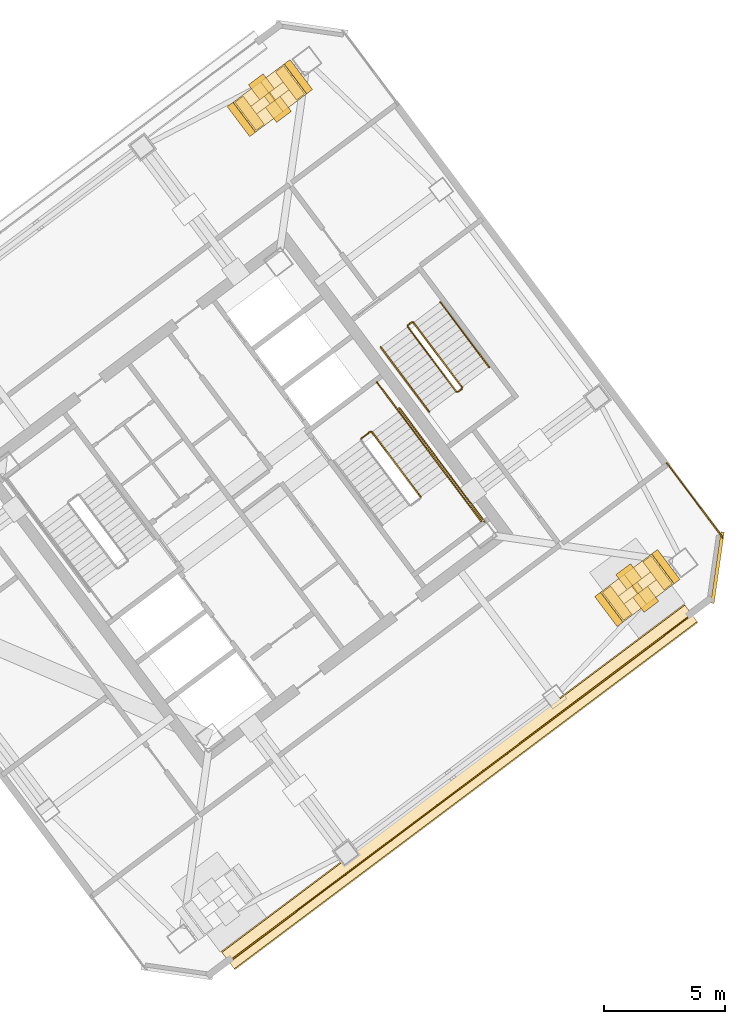
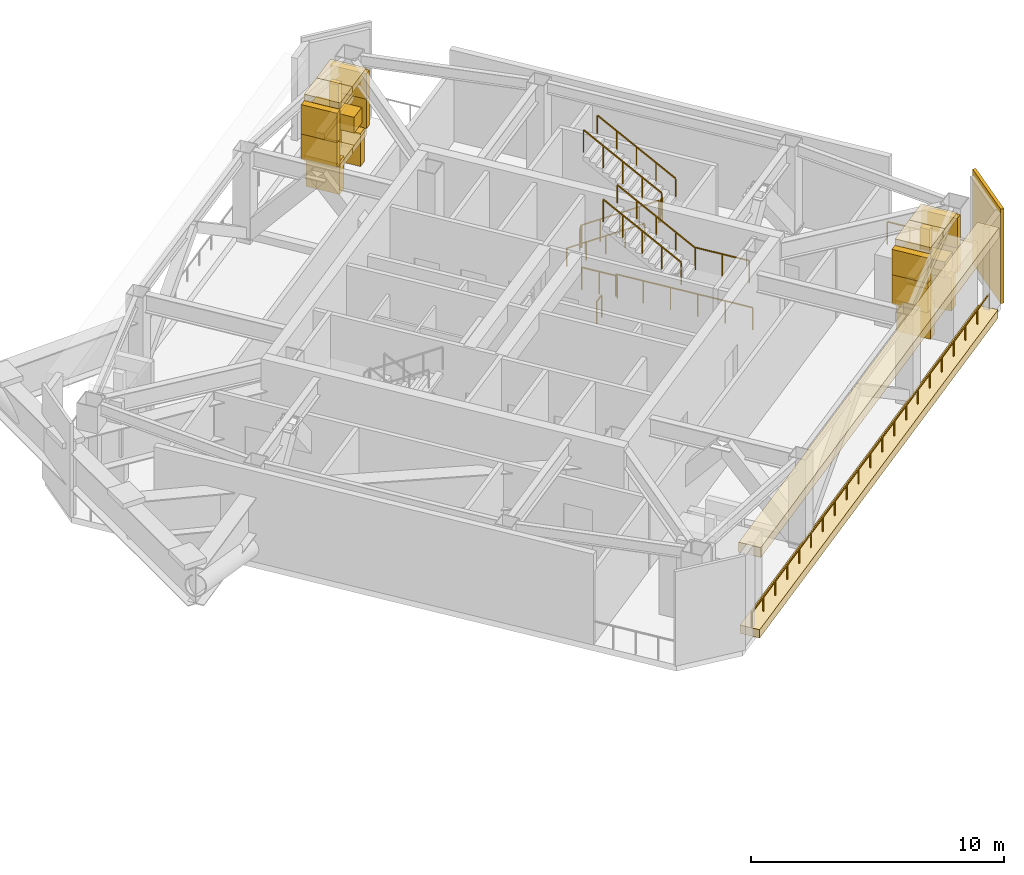
# One storey, part 13 of 15: 29 coverings, 14 railings.
"""IFC4 building model written with IfcOpenShell, lengths in metres."""

from ifc_helpers import new_model, si_unit, direction, frame, origin, origin_2d, place, context, subcontext, project, spatial, rectangle, extrude, material, layer, layer_set, type_object, element, save


model = new_model("IFC4")

# Units and contexts
model_context = context("Model", 3, precision=1e-05, world=origin(), true_north=direction((0.0, 1.0)))
body_context = subcontext(model_context, "Body", "Model", "MODEL_VIEW")
ifc_project = project(units=[si_unit("LENGTHUNIT", "METRE"), si_unit("AREAUNIT", "SQUARE_METRE"), si_unit("VOLUMEUNIT", "CUBIC_METRE"), si_unit("PLANEANGLEUNIT", "RADIAN"), si_unit("MASSUNIT", "GRAM", prefix="KILO")], contexts=[model_context])

# Site, building, storey
site_placement = place(None, origin())
site = spatial("IfcSite", under=ifc_project, at=site_placement, CompositionType="ELEMENT")
building_placement = place(site_placement, origin())
building = spatial("IfcBuilding", under=site, at=building_placement, Name="Tashvorn Skyway Center", CompositionType="ELEMENT")
storey_placement = place(building_placement, frame((0.0, 0.0, 246.800048828125)))
storey = spatial("IfcBuildingStorey", under=building, at=storey_placement, Name="L67", CompositionType="ELEMENT", Elevation=246.800048828125)

# Coverings
ifc_material_1 = material(Name="Perforated ceramic-coated bronze aluminium solar screen", Category="aluminium")
ifc_layer_1 = layer(ifc_material_1, 0.260009765625)
ifc_layer_set_1 = layer_set([ifc_layer_1], Name="Perforated ceramic-coated bronze aluminium solar screen")
covering_type_1 = type_object("IfcCoveringType", Name="COV-CROWN-SCREEN", PredefinedType="CLADDING", material=ifc_layer_set_1)
covering_1_placement = place(storey_placement, frame((131.482666015625, 29.23681640625, 2.752197265625), z_axis=(0.0, 0.0, 1.0), x_axis=(0.799999996291, 0.600000004945, 0.0)))
element("IfcCovering", 1, at=covering_1_placement, inside=storey, type_object=covering_type_1, Name="Tower 2 L67 Wind Turbine 2 Venturi Shroud Facet 1", PredefinedType="CLADDING", context=body_context, shape_type="SweptSolid", body=[
    extrude(rectangle(XDim=0.300048828125, YDim=1.550048828125, at=origin_2d()), origin(), (0.0, 0.0, 1.0), 1.419921875),
])
for number, where, z_axis, x_axis, name in (
    (2, (130.789794921875, 28.71728515625, 4.17822265625), (0.0, 0.0, 1.0), (0.799999996291, 0.600000004945, 0.0), "Tower 2 L67 Wind Turbine 2 Venturi Shroud Facet 2"),
    (3, (129.81005859375, 27.982666015625, 4.17822265625), (0.0, 0.0, 1.0), (0.799999996291, 0.600000004945, 0.0), "Tower 2 L67 Wind Turbine 2 Venturi Shroud Facet 3"),
):
    element("IfcCovering", number, at=place(storey_placement, frame(where, z_axis=z_axis, x_axis=x_axis)), inside=storey, type_object=covering_type_1, Name=name, PredefinedType="CLADDING", context=body_context, shape_type="SweptSolid", body=[
        extrude(rectangle(XDim=1.419921875, YDim=1.550048828125, at=origin_2d()), origin(), (0.0, 0.0, 1.0), 0.300048828125),
    ])
for number, where, z_axis, x_axis, name in (
    (4, (129.117431640625, 27.463134765625, 2.752197265625), (0.0, 0.0, 1.0), (0.799999996291, 0.600000004945, 0.0), "Tower 2 L67 Wind Turbine 2 Venturi Shroud Facet 4"),
    (5, (129.117431640625, 27.463134765625, 1.527587890625), (0.0, 0.0, 1.0), (0.799999996291, 0.600000004945, 0.0), "Tower 2 L67 Wind Turbine 2 Venturi Shroud Facet 5"),
):
    element("IfcCovering", number, at=place(storey_placement, frame(where, z_axis=z_axis, x_axis=x_axis)), inside=storey, type_object=covering_type_1, Name=name, PredefinedType="CLADDING", context=body_context, shape_type="SweptSolid", body=[
        extrude(rectangle(XDim=0.300048828125, YDim=1.550048828125, at=origin_2d()), origin(), (0.0, 0.0, 1.0), 1.419921875),
    ])
for number, where, z_axis, x_axis, name in (
    (6, (129.81005859375, 27.982666015625, 1.2216796875), (0.0, 0.0, 1.0), (0.799999996291, 0.600000004945, 0.0), "Tower 2 L67 Wind Turbine 2 Venturi Shroud Facet 6"),
    (7, (130.789794921875, 28.71728515625, 1.2216796875), (0.0, 0.0, 1.0), (0.799999996291, 0.600000004945, 0.0), "Tower 2 L67 Wind Turbine 2 Venturi Shroud Facet 7"),
):
    element("IfcCovering", number, at=place(storey_placement, frame(where, z_axis=z_axis, x_axis=x_axis)), inside=storey, type_object=covering_type_1, Name=name, PredefinedType="CLADDING", context=body_context, shape_type="SweptSolid", body=[
        extrude(rectangle(XDim=1.419921875, YDim=1.550048828125, at=origin_2d()), origin(), (0.0, 0.0, 1.0), 0.300048828125),
    ])
covering_2_placement = place(storey_placement, frame((131.482666015625, 29.23681640625, 1.527587890625), z_axis=(0.0, 0.0, 1.0), x_axis=(0.799999996291, 0.600000004945, 0.0)))
element("IfcCovering", 8, at=covering_2_placement, inside=storey, type_object=covering_type_1, Name="Tower 2 L67 Wind Turbine 2 Venturi Shroud Facet 8", PredefinedType="CLADDING", context=body_context, shape_type="SweptSolid", body=[
    extrude(rectangle(XDim=0.300048828125, YDim=1.550048828125, at=origin_2d()), origin(), (0.0, 0.0, 1.0), 1.419921875),
])
covering_3_placement = place(storey_placement, frame((130.300048828125, 28.35009765625, 1.27001953125), z_axis=(0.0, 0.0, 1.0), x_axis=(0.799999996291, 0.600000004945, 0.0)))
element("IfcCovering", 9, at=covering_3_placement, inside=storey, type_object=covering_type_1, Name="Tower 2 L67 Wind Turbine 2 Vertical Rotor Blades", PredefinedType="CLADDING", context=body_context, shape_type="SweptSolid", body=[
    extrude(rectangle(XDim=0.280029296875, YDim=0.39990234375, at=origin_2d()), origin(), (0.0, 0.0, 1.0), 3.159912109375),
])
covering_4_placement = place(storey_placement, frame((130.300048828125, 28.35009765625, 2.7099609375), z_axis=(0.0, 0.0, 1.0), x_axis=(0.799999996291, 0.600000004945, 0.0)))
element("IfcCovering", 10, at=covering_4_placement, inside=storey, type_object=covering_type_1, Name="Tower 2 L67 Wind Turbine 2 Horizontal Rotor Blades", PredefinedType="CLADDING", context=body_context, shape_type="SweptSolid", body=[
    extrude(rectangle(XDim=3.159912109375, YDim=0.39990234375, at=origin_2d()), origin(), (0.0, 0.0, 1.0), 0.280029296875),
])
covering_5_placement = place(storey_placement, frame((113.87744140625, 47.782958984375, 2.752197265625), z_axis=(0.0, 0.0, 1.0), x_axis=(-0.799999996291, -0.600000004945, 0.0)))
element("IfcCovering", 11, at=covering_5_placement, inside=storey, type_object=covering_type_1, Name="Tower 2 L67 Wind Turbine 4 Venturi Shroud Facet 1", PredefinedType="CLADDING", context=body_context, shape_type="SweptSolid", body=[
    extrude(rectangle(XDim=0.300048828125, YDim=1.550048828125, at=origin_2d()), origin(), (0.0, 0.0, 1.0), 1.419921875),
])
for number, where, z_axis, x_axis, name in (
    (12, (114.570068359375, 48.302734375, 4.17822265625), (0.0, 0.0, 1.0), (-0.799999996291, -0.600000004945, 0.0), "Tower 2 L67 Wind Turbine 4 Venturi Shroud Facet 2"),
    (13, (115.5498046875, 49.037353515625, 4.17822265625), (0.0, 0.0, 1.0), (-0.799999996291, -0.600000004945, 0.0), "Tower 2 L67 Wind Turbine 4 Venturi Shroud Facet 3"),
):
    element("IfcCovering", number, at=place(storey_placement, frame(where, z_axis=z_axis, x_axis=x_axis)), inside=storey, type_object=covering_type_1, Name=name, PredefinedType="CLADDING", context=body_context, shape_type="SweptSolid", body=[
        extrude(rectangle(XDim=1.419921875, YDim=1.550048828125, at=origin_2d()), origin(), (0.0, 0.0, 1.0), 0.300048828125),
    ])
for number, where, z_axis, x_axis, name in (
    (14, (116.24267578125, 49.556884765625, 2.752197265625), (0.0, 0.0, 1.0), (-0.799999996291, -0.600000004945, 0.0), "Tower 2 L67 Wind Turbine 4 Venturi Shroud Facet 4"),
    (15, (116.24267578125, 49.556884765625, 1.527587890625), (0.0, 0.0, 1.0), (-0.799999996291, -0.600000004945, 0.0), "Tower 2 L67 Wind Turbine 4 Venturi Shroud Facet 5"),
):
    element("IfcCovering", number, at=place(storey_placement, frame(where, z_axis=z_axis, x_axis=x_axis)), inside=storey, type_object=covering_type_1, Name=name, PredefinedType="CLADDING", context=body_context, shape_type="SweptSolid", body=[
        extrude(rectangle(XDim=0.300048828125, YDim=1.550048828125, at=origin_2d()), origin(), (0.0, 0.0, 1.0), 1.419921875),
    ])
for number, where, z_axis, x_axis, name in (
    (16, (115.5498046875, 49.037353515625, 1.2216796875), (0.0, 0.0, 1.0), (-0.799999996291, -0.600000004945, 0.0), "Tower 2 L67 Wind Turbine 4 Venturi Shroud Facet 6"),
    (17, (114.570068359375, 48.302734375, 1.2216796875), (0.0, 0.0, 1.0), (-0.799999996291, -0.600000004945, 0.0), "Tower 2 L67 Wind Turbine 4 Venturi Shroud Facet 7"),
):
    element("IfcCovering", number, at=place(storey_placement, frame(where, z_axis=z_axis, x_axis=x_axis)), inside=storey, type_object=covering_type_1, Name=name, PredefinedType="CLADDING", context=body_context, shape_type="SweptSolid", body=[
        extrude(rectangle(XDim=1.419921875, YDim=1.550048828125, at=origin_2d()), origin(), (0.0, 0.0, 1.0), 0.300048828125),
    ])
covering_6_placement = place(storey_placement, frame((113.87744140625, 47.782958984375, 1.527587890625), z_axis=(0.0, 0.0, 1.0), x_axis=(-0.799999996291, -0.600000004945, 0.0)))
element("IfcCovering", 18, at=covering_6_placement, inside=storey, type_object=covering_type_1, Name="Tower 2 L67 Wind Turbine 4 Venturi Shroud Facet 8", PredefinedType="CLADDING", context=body_context, shape_type="SweptSolid", body=[
    extrude(rectangle(XDim=0.300048828125, YDim=1.550048828125, at=origin_2d()), origin(), (0.0, 0.0, 1.0), 1.419921875),
])
covering_7_placement = place(storey_placement, frame((115.06005859375, 48.669921875, 1.27001953125), z_axis=(0.0, 0.0, 1.0), x_axis=(-0.799999996291, -0.600000004945, 0.0)))
element("IfcCovering", 19, at=covering_7_placement, inside=storey, type_object=covering_type_1, Name="Tower 2 L67 Wind Turbine 4 Vertical Rotor Blades", PredefinedType="CLADDING", context=body_context, shape_type="SweptSolid", body=[
    extrude(rectangle(XDim=0.280029296875, YDim=0.39990234375, at=origin_2d()), origin(), (0.0, 0.0, 1.0), 3.159912109375),
])
covering_8_placement = place(storey_placement, frame((115.06005859375, 48.669921875, 2.7099609375), z_axis=(0.0, 0.0, 1.0), x_axis=(-0.799999996291, -0.600000004945, 0.0)))
element("IfcCovering", 20, at=covering_8_placement, inside=storey, type_object=covering_type_1, Name="Tower 2 L67 Wind Turbine 4 Horizontal Rotor Blades", PredefinedType="CLADDING", context=body_context, shape_type="SweptSolid", body=[
    extrude(rectangle(XDim=3.159912109375, YDim=0.39990234375, at=origin_2d()), origin(), (0.0, 0.0, 1.0), 0.280029296875),
])
ifc_material_2 = material(Name="Precast concrete C40/50", Category="concrete")
ifc_layer_2 = layer(ifc_material_2, 0.35009765625)
ifc_layer_set_2 = layer_set([ifc_layer_2], Name="Precast concrete C40/50")
covering_type_2 = type_object("IfcCoveringType", Name="COV-STONE-TRIM", PredefinedType="CLADDING", material=ifc_layer_set_2)
covering_9_placement = place(storey_placement, frame((122.927978515625, 20.095947265625, 3.89990234375), z_axis=(0.0, 0.0, 1.0), x_axis=(-0.799999996291, -0.600000004945, 0.0)))
element("IfcCovering", 21, at=covering_9_placement, inside=storey, type_object=covering_type_2, Name="Tower 2 L67 South Venturi Terracotta Upper Cowl", PredefinedType="CLADDING", context=body_context, shape_type="SweptSolid", body=[
    extrude(rectangle(XDim=24.0, YDim=0.949951171875, at=origin_2d()), origin(), (0.0, 0.0, 1.0), 0.47998046875),
])
covering_10_placement = place(storey_placement, frame((122.927978515625, 20.095947265625, 0.0), z_axis=(0.0, 0.0, 1.0), x_axis=(-0.799999996291, -0.600000004945, 0.0)))
element("IfcCovering", 22, at=covering_10_placement, inside=storey, type_object=covering_type_2, Name="Tower 2 L67 South Venturi Limestone Sill Cowl", PredefinedType="CLADDING", context=body_context, shape_type="SweptSolid", body=[
    extrude(rectangle(XDim=24.0, YDim=0.85009765625, at=origin_2d()), origin(), (0.0, 0.0, 1.0), 0.39990234375),
])
covering_11_placement = place(storey_placement, frame((133.6279296875, 29.196044921875, 0.02001953125), z_axis=(0.0, 0.0, 1.0), x_axis=(0.141421350118, 0.989949494535, 0.0)))
element("IfcCovering", 23, at=covering_11_placement, inside=storey, type_object=covering_type_2, Name="Tower 2 L67 SE Mojave Limestone Corner Quoin", PredefinedType="CLADDING", context=body_context, shape_type="SweptSolid", body=[
    extrude(rectangle(XDim=2.98828125, YDim=0.139892578125, at=origin_2d()), origin(), (0.0, 0.0, 1.0), 4.56005859375),
])
for number, where, z_axis, x_axis, name in (
    (24, (129.4599609375, 27.719970703125, 0.0), (0.0, 0.0, 1.0), (0.799999996291, 0.600000004945, 0.0), "Tower 2 L67 Wind Turbine 2 Support Cradle 1"),
    (25, (131.139892578125, 28.97998046875, 0.0), (0.0, 0.0, 1.0), (0.799999996291, 0.600000004945, 0.0), "Tower 2 L67 Wind Turbine 2 Support Cradle 2"),
):
    element("IfcCovering", number, at=place(storey_placement, frame(where, z_axis=z_axis, x_axis=x_axis)), inside=storey, type_object=covering_type_2, Name=name, PredefinedType="CLADDING", context=body_context, shape_type="SweptSolid", body=[
        extrude(rectangle(XDim=0.419921875, YDim=1.449951171875, at=origin_2d()), origin(), (0.0, 0.0, 1.0), 1.60009765625),
    ])
covering_12_placement = place(storey_placement, frame((130.300048828125, 28.35009765625, 2.4697265625), z_axis=(0.0, 0.0, 1.0), x_axis=(0.799999996291, 0.600000004945, 0.0)))
element("IfcCovering", 26, at=covering_12_placement, inside=storey, type_object=covering_type_2, Name="Tower 2 L67 Wind Turbine 2 Nacelle Hub", PredefinedType="CLADDING", context=body_context, shape_type="SweptSolid", body=[
    extrude(rectangle(XDim=0.760009765625, YDim=1.949951171875, at=origin_2d()), origin(), (0.0, 0.0, 1.0), 0.760009765625),
])
for number, where, z_axis, x_axis, name in (
    (27, (115.89990234375, 49.300048828125, 0.0), (0.0, 0.0, 1.0), (-0.799999996291, -0.600000004945, 0.0), "Tower 2 L67 Wind Turbine 4 Support Cradle 1"),
    (28, (114.219970703125, 48.0400390625, 0.0), (0.0, 0.0, 1.0), (-0.799999996291, -0.600000004945, 0.0), "Tower 2 L67 Wind Turbine 4 Support Cradle 2"),
):
    element("IfcCovering", number, at=place(storey_placement, frame(where, z_axis=z_axis, x_axis=x_axis)), inside=storey, type_object=covering_type_2, Name=name, PredefinedType="CLADDING", context=body_context, shape_type="SweptSolid", body=[
        extrude(rectangle(XDim=0.419921875, YDim=1.449951171875, at=origin_2d()), origin(), (0.0, 0.0, 1.0), 1.60009765625),
    ])
covering_13_placement = place(storey_placement, frame((115.06005859375, 48.669921875, 2.4697265625), z_axis=(0.0, 0.0, 1.0), x_axis=(-0.799999996291, -0.600000004945, 0.0)))
element("IfcCovering", 29, at=covering_13_placement, inside=storey, type_object=covering_type_2, Name="Tower 2 L67 Wind Turbine 4 Nacelle Hub", PredefinedType="CLADDING", context=body_context, shape_type="SweptSolid", body=[
    extrude(rectangle(XDim=0.760009765625, YDim=1.949951171875, at=origin_2d()), origin(), (0.0, 0.0, 1.0), 0.760009765625),
])

# Railings
ifc_material_3 = material(Name="Galvanized steel S355", Category="steel")
railing_type_1 = type_object("IfcRailingType", Name="RAIL-GUARD-1120", PredefinedType="GUARDRAIL", material=ifc_material_3)
railing_1_placement = place(storey_placement, frame((132.531982421875, 27.22412109375, 0.0)))
element("IfcRailing", 30, at=railing_1_placement, inside=storey, type_object=railing_type_1, Name="L67 Tower 2 L67 Wind Slot Guardrail 01", PredefinedType="GUARDRAIL", context=body_context, shape_type="SweptSolid", body=[
    extrude(rectangle(XDim=0.048095703125, YDim=0.048095703125, at=origin_2d()), frame((0.0, 0.0, 1.09619140625), z_axis=(-0.799998775214, -0.600001633045, 0.0), x_axis=(0.600001633045, -0.799998775214, 0.0)), (0.0, 0.0, 1.0), 23.919921875),
    extrude(rectangle(XDim=0.0419921875, YDim=0.0419921875, at=origin_2d()), origin(), (0.0, 0.0, 1.0), 1.072021484375),
    extrude(rectangle(XDim=0.0419921875, YDim=0.0419921875, at=origin_2d()), frame((-0.956787109375, -0.717529296875, 0.0)), (0.0, 0.0, 1.0), 1.072021484375),
    extrude(rectangle(XDim=0.0419921875, YDim=0.0419921875, at=origin_2d()), frame((-1.91357421875, -1.435302734375, 0.0)), (0.0, 0.0, 1.0), 1.072021484375),
    extrude(rectangle(XDim=0.0419921875, YDim=0.0419921875, at=origin_2d()), frame((-2.870361328125, -2.15283203125, 0.0)), (0.0, 0.0, 1.0), 1.072021484375),
    extrude(rectangle(XDim=0.0419921875, YDim=0.0419921875, at=origin_2d()), frame((-3.8271484375, -2.870361328125, 0.0)), (0.0, 0.0, 1.0), 1.072021484375),
    extrude(rectangle(XDim=0.0419921875, YDim=0.0419921875, at=origin_2d()), frame((-4.783935546875, -3.587890625, 0.0)), (0.0, 0.0, 1.0), 1.072021484375),
    extrude(rectangle(XDim=0.0419921875, YDim=0.0419921875, at=origin_2d()), frame((-5.74072265625, -4.3056640625, 0.0)), (0.0, 0.0, 1.0), 1.072021484375),
    extrude(rectangle(XDim=0.0419921875, YDim=0.0419921875, at=origin_2d()), frame((-6.697509765625, -5.023193359375, 0.0)), (0.0, 0.0, 1.0), 1.072021484375),
    extrude(rectangle(XDim=0.0419921875, YDim=0.0419921875, at=origin_2d()), frame((-7.654296875, -5.74072265625, 0.0)), (0.0, 0.0, 1.0), 1.072021484375),
    extrude(rectangle(XDim=0.0419921875, YDim=0.0419921875, at=origin_2d()), frame((-8.611083984375, -6.45849609375, 0.0)), (0.0, 0.0, 1.0), 1.072021484375),
    extrude(rectangle(XDim=0.0419921875, YDim=0.0419921875, at=origin_2d()), frame((-9.56787109375, -7.176025390625, 0.0)), (0.0, 0.0, 1.0), 1.072021484375),
    extrude(rectangle(XDim=0.0419921875, YDim=0.0419921875, at=origin_2d()), frame((-10.52490234375, -7.8935546875, 0.0)), (0.0, 0.0, 1.0), 1.072021484375),
    extrude(rectangle(XDim=0.0419921875, YDim=0.0419921875, at=origin_2d()), frame((-11.481689453125, -8.611328125, 0.0)), (0.0, 0.0, 1.0), 1.072021484375),
    extrude(rectangle(XDim=0.0419921875, YDim=0.0419921875, at=origin_2d()), frame((-12.4384765625, -9.328857421875, 0.0)), (0.0, 0.0, 1.0), 1.072021484375),
    extrude(rectangle(XDim=0.0419921875, YDim=0.0419921875, at=origin_2d()), frame((-13.395263671875, -10.04638671875, 0.0)), (0.0, 0.0, 1.0), 1.072021484375),
    extrude(rectangle(XDim=0.0419921875, YDim=0.0419921875, at=origin_2d()), frame((-14.35205078125, -10.76416015625, 0.0)), (0.0, 0.0, 1.0), 1.072021484375),
    extrude(rectangle(XDim=0.0419921875, YDim=0.0419921875, at=origin_2d()), frame((-15.308837890625, -11.481689453125, 0.0)), (0.0, 0.0, 1.0), 1.072021484375),
    extrude(rectangle(XDim=0.0419921875, YDim=0.0419921875, at=origin_2d()), frame((-16.265625, -12.19921875, 0.0)), (0.0, 0.0, 1.0), 1.072021484375),
    extrude(rectangle(XDim=0.0419921875, YDim=0.0419921875, at=origin_2d()), frame((-17.222412109375, -12.916748046875, 0.0)), (0.0, 0.0, 1.0), 1.072021484375),
    extrude(rectangle(XDim=0.0419921875, YDim=0.0419921875, at=origin_2d()), frame((-18.17919921875, -13.634521484375, 0.0)), (0.0, 0.0, 1.0), 1.072021484375),
    extrude(rectangle(XDim=0.0419921875, YDim=0.0419921875, at=origin_2d()), frame((-19.135986328125, -14.35205078125, 0.0)), (0.0, 0.0, 1.0), 1.072021484375),
])
railing_2_placement = place(storey_placement, frame((131.52587890625, 33.531982421875, 0.0)))
element("IfcRailing", 31, at=railing_2_placement, inside=storey, type_object=railing_type_1, Name="L67 Tower 2 L67 Breezeway Guardrail B 01", PredefinedType="GUARDRAIL", context=body_context, shape_type="SweptSolid", body=[
    extrude(rectangle(XDim=0.048095703125, YDim=0.048095703125, at=origin_2d()), frame((0.0, 0.0, 1.09619140625), z_axis=(0.600010093698, -0.799992429627, 0.0), x_axis=(0.799992429627, 0.600010093698, 0.0)), (0.0, 0.0, 1.0), 3.869873046875),
    extrude(rectangle(XDim=0.0419921875, YDim=0.0419921875, at=origin_2d()), origin(), (0.0, 0.0, 1.0), 1.072021484375),
    extrude(rectangle(XDim=0.0419921875, YDim=0.0419921875, at=origin_2d()), frame((0.58056640625, -0.77392578125, 0.0)), (0.0, 0.0, 1.0), 1.072021484375),
    extrude(rectangle(XDim=0.0419921875, YDim=0.0419921875, at=origin_2d()), frame((1.1611328125, -1.5478515625, 0.0)), (0.0, 0.0, 1.0), 1.072021484375),
    extrude(rectangle(XDim=0.0419921875, YDim=0.0419921875, at=origin_2d()), frame((1.741455078125, -2.322021484375, 0.0)), (0.0, 0.0, 1.0), 1.072021484375),
    extrude(rectangle(XDim=0.0419921875, YDim=0.0419921875, at=origin_2d()), frame((2.322021484375, -3.095947265625, 0.0)), (0.0, 0.0, 1.0), 1.072021484375),
])
ifc_material_4 = material(Name="Brushed stainless steel 316", Category="steel")
railing_type_2 = type_object("IfcRailingType", Name="RAIL-HAND-920", PredefinedType="HANDRAIL", material=ifc_material_4)
railing_3_placement = place(storey_placement, frame((122.431884765625, 32.97412109375, 2.476806640625)))
element("IfcRailing", 32, at=railing_3_placement, inside=storey, type_object=railing_type_2, Name="L67 ST-T2-2 stair handrail 2", PredefinedType="HANDRAIL", context=body_context, shape_type="SweptSolid", body=[
    extrude(rectangle(XDim=0.048095703125, YDim=0.048095703125, at=origin_2d()), frame((0.0, 0.0, 0.8759765625), z_axis=(-0.507205711726, 0.676315233875, 0.534172322777), x_axis=(-0.800017438734, -0.59997674765, 0.0)), (0.0, 0.0, 1.0), 3.974365234375),
    extrude(rectangle(XDim=0.0419921875, YDim=0.0419921875, at=origin_2d()), origin(), (0.0, 0.0, 1.0), 0.851806640625),
    extrude(rectangle(XDim=0.0419921875, YDim=0.0419921875, at=origin_2d()), frame((-0.50390625, 0.671875, 0.53076171875)), (0.0, 0.0, 1.0), 0.851806640625),
    extrude(rectangle(XDim=0.0419921875, YDim=0.0419921875, at=origin_2d()), frame((-1.0078125, 1.343994140625, 1.0615234375)), (0.0, 0.0, 1.0), 0.851806640625),
    extrude(rectangle(XDim=0.0419921875, YDim=0.0419921875, at=origin_2d()), frame((-1.511962890625, 2.01611328125, 1.59228515625)), (0.0, 0.0, 1.0), 0.851806640625),
    extrude(rectangle(XDim=0.0419921875, YDim=0.0419921875, at=origin_2d()), frame((-2.015869140625, 2.68798828125, 2.123046875)), (0.0, 0.0, 1.0), 0.851806640625),
])
railing_4_placement = place(storey_placement, frame((119.656005859375, 38.342041015625, 0.1767578125)))
element("IfcRailing", 33, at=railing_4_placement, inside=storey, type_object=railing_type_2, Name="L67 ST-T2-3 stair handrail 1", PredefinedType="HANDRAIL", context=body_context, shape_type="SweptSolid", body=[
    extrude(rectangle(XDim=0.048095703125, YDim=0.048095703125, at=origin_2d()), frame((0.0, 0.0, 0.8759765625), z_axis=(0.507234690862, -0.676271972195, 0.534199576946), x_axis=(0.79998256135, 0.600023250829, 0.0)), (0.0, 0.0, 1.0), 3.974609375),
    extrude(rectangle(XDim=0.0419921875, YDim=0.0419921875, at=origin_2d()), origin(), (0.0, 0.0, 1.0), 0.851806640625),
    extrude(rectangle(XDim=0.0419921875, YDim=0.0419921875, at=origin_2d()), frame((0.50390625, -0.671875, 0.53076171875)), (0.0, 0.0, 1.0), 0.851806640625),
    extrude(rectangle(XDim=0.0419921875, YDim=0.0419921875, at=origin_2d()), frame((1.008056640625, -1.343994140625, 1.0615234375)), (0.0, 0.0, 1.0), 0.851806640625),
    extrude(rectangle(XDim=0.0419921875, YDim=0.0419921875, at=origin_2d()), frame((1.51220703125, -2.01611328125, 1.592529296875)), (0.0, 0.0, 1.0), 0.851806640625),
    extrude(rectangle(XDim=0.0419921875, YDim=0.0419921875, at=origin_2d()), frame((2.01611328125, -2.68798828125, 2.123291015625)), (0.0, 0.0, 1.0), 0.851806640625),
])
railing_5_placement = place(storey_placement, frame((124.152099609375, 37.513916015625, 2.476806640625)))
element("IfcRailing", 34, at=railing_5_placement, inside=storey, type_object=railing_type_2, Name="L67 ST-T2-3 stair handrail 2", PredefinedType="HANDRAIL", context=body_context, shape_type="SweptSolid", body=[
    extrude(rectangle(XDim=0.048095703125, YDim=0.048095703125, at=origin_2d()), frame((0.0, 0.0, 0.8759765625), z_axis=(-0.507251334297, 0.676294162098, 0.53415567971), x_axis=(-0.79998256135, -0.600023250829, 0.0)), (0.0, 0.0, 1.0), 3.974609375),
    extrude(rectangle(XDim=0.0419921875, YDim=0.0419921875, at=origin_2d()), origin(), (0.0, 0.0, 1.0), 0.851806640625),
    extrude(rectangle(XDim=0.0419921875, YDim=0.0419921875, at=origin_2d()), frame((-0.50390625, 0.671875, 0.53076171875)), (0.0, 0.0, 1.0), 0.851806640625),
    extrude(rectangle(XDim=0.0419921875, YDim=0.0419921875, at=origin_2d()), frame((-1.008056640625, 1.343994140625, 1.0615234375)), (0.0, 0.0, 1.0), 0.851806640625),
    extrude(rectangle(XDim=0.0419921875, YDim=0.0419921875, at=origin_2d()), frame((-1.51220703125, 2.01611328125, 1.59228515625)), (0.0, 0.0, 1.0), 0.851806640625),
    extrude(rectangle(XDim=0.0419921875, YDim=0.0419921875, at=origin_2d()), frame((-2.01611328125, 2.68798828125, 2.123046875)), (0.0, 0.0, 1.0), 0.851806640625),
])
ifc_material_5 = material(Name="Painted galvanized steel S355", Category="steel")
railing_type_3 = type_object("IfcRailingType", Name="RAIL-STGUARD-1100", PredefinedType="GUARDRAIL", material=ifc_material_5)
railing_6_placement = place(storey_placement, frame((122.431884765625, 32.97412109375, 2.300048828125)))
element("IfcRailing", 35, at=railing_6_placement, inside=storey, type_object=railing_type_3, Name="L67 ST-T2-2 stair guard 3", PredefinedType="GUARDRAIL", context=body_context, shape_type="SweptSolid", body=[
    extrude(rectangle(XDim=0.048095703125, YDim=0.048095703125, at=origin_2d()), frame((0.0, 0.0, 1.076171875), z_axis=(0.599983164142, -0.800012626617, 0.0), x_axis=(0.800012626617, 0.599983164142, 0.0)), (0.0, 0.0, 1.0), 2.3203125),
    extrude(rectangle(XDim=0.0419921875, YDim=0.0419921875, at=origin_2d()), origin(), (0.0, 0.0, 1.0), 1.052001953125),
    extrude(rectangle(XDim=0.0419921875, YDim=0.0419921875, at=origin_2d()), frame((0.696044921875, -0.92822265625, 0.0)), (0.0, 0.0, 1.0), 1.052001953125),
    extrude(rectangle(XDim=0.0419921875, YDim=0.0419921875, at=origin_2d()), frame((1.39208984375, -1.856201171875, 0.0)), (0.0, 0.0, 1.0), 1.052001953125),
])
railing_7_placement = place(storey_placement, frame((121.31201171875, 32.134033203125, 2.476806640625)))
element("IfcRailing", 36, at=railing_7_placement, inside=storey, type_object=railing_type_3, Name="L67 ST-T2-2 stair guard 4", PredefinedType="GUARDRAIL", context=body_context, shape_type="SweptSolid", body=[
    extrude(rectangle(XDim=0.048095703125, YDim=0.048095703125, at=origin_2d()), frame((0.0, 0.0, 1.076171875), z_axis=(-0.507251334297, 0.676294162098, 0.53415567971), x_axis=(-0.79998256135, -0.600023250829, 0.0)), (0.0, 0.0, 1.0), 3.974609375),
    extrude(rectangle(XDim=0.0419921875, YDim=0.0419921875, at=origin_2d()), origin(), (0.0, 0.0, 1.0), 1.052001953125),
    extrude(rectangle(XDim=0.0419921875, YDim=0.0419921875, at=origin_2d()), frame((-0.50390625, 0.671875, 0.53076171875)), (0.0, 0.0, 1.0), 1.052001953125),
    extrude(rectangle(XDim=0.0419921875, YDim=0.0419921875, at=origin_2d()), frame((-1.008056640625, 1.343994140625, 1.0615234375)), (0.0, 0.0, 1.0), 1.052001953125),
    extrude(rectangle(XDim=0.0419921875, YDim=0.0419921875, at=origin_2d()), frame((-1.51220703125, 2.01611328125, 1.59228515625)), (0.0, 0.0, 1.0), 1.052001953125),
    extrude(rectangle(XDim=0.0419921875, YDim=0.0419921875, at=origin_2d()), frame((-2.01611328125, 2.68798828125, 2.123046875)), (0.0, 0.0, 1.0), 1.052001953125),
])
railing_8_placement = place(storey_placement, frame((118.842041015625, 34.5439453125, 0.0)))
element("IfcRailing", 37, at=railing_8_placement, inside=storey, type_object=railing_type_3, Name="L67 ST-T2-2 stair guard 5", PredefinedType="GUARDRAIL", context=body_context, shape_type="SweptSolid", body=[
    extrude(rectangle(XDim=0.048095703125, YDim=0.048095703125, at=origin_2d()), frame((0.0, 0.0, 1.076171875), z_axis=(0.799938970639, 0.600081363861, 0.0), x_axis=(-0.600081363861, 0.799938970639, 0.0)), (0.0, 0.0, 1.0), 0.47998046875),
    extrude(rectangle(XDim=0.0419921875, YDim=0.0419921875, at=origin_2d()), origin(), (0.0, 0.0, 1.0), 1.052001953125),
    extrude(rectangle(XDim=0.0419921875, YDim=0.0419921875, at=origin_2d()), frame((0.384033203125, 0.2880859375, 0.0)), (0.0, 0.0, 1.0), 1.052001953125),
])
railing_9_placement = place(storey_placement, frame((119.50390625, 36.8779296875, 0.0)))
element("IfcRailing", 38, at=railing_9_placement, inside=storey, type_object=railing_type_3, Name="L67 ST-T2-2 stair guard 6", PredefinedType="GUARDRAIL", context=body_context, shape_type="SweptSolid", body=[
    extrude(rectangle(XDim=0.048095703125, YDim=0.048095703125, at=origin_2d()), frame((0.0, 0.0, 1.076171875), z_axis=(0.600102796382, -0.799922892393, 0.0), x_axis=(0.799922892393, 0.600102796382, 0.0)), (0.0, 0.0, 1.0), 1.52001953125),
    extrude(rectangle(XDim=0.0419921875, YDim=0.0419921875, at=origin_2d()), origin(), (0.0, 0.0, 1.0), 1.052001953125),
    extrude(rectangle(XDim=0.0419921875, YDim=0.0419921875, at=origin_2d()), frame((0.4560546875, -0.60791015625, 0.0)), (0.0, 0.0, 1.0), 1.052001953125),
    extrude(rectangle(XDim=0.0419921875, YDim=0.0419921875, at=origin_2d()), frame((0.912109375, -1.2158203125, 0.0)), (0.0, 0.0, 1.0), 1.052001953125),
])
railing_10_placement = place(storey_placement, frame((120.43603515625, 35.802001953125, 0.0)))
element("IfcRailing", 39, at=railing_10_placement, inside=storey, type_object=railing_type_3, Name="L67 ST-T2-2 stair guard 7", PredefinedType="GUARDRAIL", context=body_context, shape_type="SweptSolid", body=[
    extrude(rectangle(XDim=0.048095703125, YDim=0.048095703125, at=origin_2d()), frame((0.0, 0.0, 1.076171875), z_axis=(0.6, -0.8, 0.0), x_axis=(0.8, 0.6, 0.0)), (0.0, 0.0, 1.0), 5.880126953125),
    extrude(rectangle(XDim=0.0419921875, YDim=0.0419921875, at=origin_2d()), origin(), (0.0, 0.0, 1.0), 1.052001953125),
    extrude(rectangle(XDim=0.0419921875, YDim=0.0419921875, at=origin_2d()), frame((0.70556640625, -0.94091796875, 0.0)), (0.0, 0.0, 1.0), 1.052001953125),
    extrude(rectangle(XDim=0.0419921875, YDim=0.0419921875, at=origin_2d()), frame((1.4111328125, -1.881591796875, 0.0)), (0.0, 0.0, 1.0), 1.052001953125),
    extrude(rectangle(XDim=0.0419921875, YDim=0.0419921875, at=origin_2d()), frame((2.116943359375, -2.822509765625, 0.0)), (0.0, 0.0, 1.0), 1.052001953125),
    extrude(rectangle(XDim=0.0419921875, YDim=0.0419921875, at=origin_2d()), frame((2.822509765625, -3.76318359375, 0.0)), (0.0, 0.0, 1.0), 1.052001953125),
    extrude(rectangle(XDim=0.0419921875, YDim=0.0419921875, at=origin_2d()), frame((3.528076171875, -4.7041015625, 0.0)), (0.0, 0.0, 1.0), 1.052001953125),
])
railing_11_placement = place(storey_placement, frame((120.77587890625, 39.181884765625, 0.1767578125)))
element("IfcRailing", 40, at=railing_11_placement, inside=storey, type_object=railing_type_3, Name="L67 ST-T2-3 stair guard 1", PredefinedType="GUARDRAIL", context=body_context, shape_type="SweptSolid", body=[
    extrude(rectangle(XDim=0.048095703125, YDim=0.048095703125, at=origin_2d()), frame((0.0, 0.0, 1.076171875), z_axis=(0.507234690862, -0.676271972195, 0.534199576946), x_axis=(0.79998256135, 0.600023250829, 0.0)), (0.0, 0.0, 1.0), 3.974609375),
    extrude(rectangle(XDim=0.0419921875, YDim=0.0419921875, at=origin_2d()), origin(), (0.0, 0.0, 1.0), 1.052001953125),
    extrude(rectangle(XDim=0.0419921875, YDim=0.0419921875, at=origin_2d()), frame((0.50390625, -0.671875, 0.53076171875)), (0.0, 0.0, 1.0), 1.052001953125),
    extrude(rectangle(XDim=0.0419921875, YDim=0.0419921875, at=origin_2d()), frame((1.008056640625, -1.343994140625, 1.0615234375)), (0.0, 0.0, 1.0), 1.052001953125),
    extrude(rectangle(XDim=0.0419921875, YDim=0.0419921875, at=origin_2d()), frame((1.51220703125, -2.01611328125, 1.592529296875)), (0.0, 0.0, 1.0), 1.052001953125),
    extrude(rectangle(XDim=0.0419921875, YDim=0.0419921875, at=origin_2d()), frame((2.01611328125, -2.68798828125, 2.123291015625)), (0.0, 0.0, 1.0), 1.052001953125),
])
railing_12_placement = place(storey_placement, frame((122.862060546875, 36.48388671875, 2.300048828125)))
element("IfcRailing", 41, at=railing_12_placement, inside=storey, type_object=railing_type_3, Name="L67 ST-T2-3 stair guard 2", PredefinedType="GUARDRAIL", context=body_context, shape_type="SweptSolid", body=[
    extrude(rectangle(XDim=0.048095703125, YDim=0.048095703125, at=origin_2d()), frame((0.0, 0.0, 1.076171875), z_axis=(0.799560332416, 0.60058577641, 0.0), x_axis=(-0.60058577641, 0.799560332416, 0.0)), (0.0, 0.0, 1.0), 0.199951171875),
    extrude(rectangle(XDim=0.0419921875, YDim=0.0419921875, at=origin_2d()), origin(), (0.0, 0.0, 1.0), 1.052001953125),
    extrude(rectangle(XDim=0.0419921875, YDim=0.0419921875, at=origin_2d()), frame((0.159912109375, 0.1201171875, 0.0)), (0.0, 0.0, 1.0), 1.052001953125),
])
railing_13_placement = place(storey_placement, frame((123.031982421875, 36.674072265625, 2.476806640625)))
element("IfcRailing", 42, at=railing_13_placement, inside=storey, type_object=railing_type_3, Name="L67 ST-T2-3 stair guard 3", PredefinedType="GUARDRAIL", context=body_context, shape_type="SweptSolid", body=[
    extrude(rectangle(XDim=0.048095703125, YDim=0.048095703125, at=origin_2d()), frame((0.0, 0.0, 1.076171875), z_axis=(-0.507205711726, 0.676315233875, 0.534172322777), x_axis=(-0.800017438734, -0.59997674765, 0.0)), (0.0, 0.0, 1.0), 3.974365234375),
    extrude(rectangle(XDim=0.0419921875, YDim=0.0419921875, at=origin_2d()), origin(), (0.0, 0.0, 1.0), 1.052001953125),
    extrude(rectangle(XDim=0.0419921875, YDim=0.0419921875, at=origin_2d()), frame((-0.50390625, 0.671875, 0.53076171875)), (0.0, 0.0, 1.0), 1.052001953125),
    extrude(rectangle(XDim=0.0419921875, YDim=0.0419921875, at=origin_2d()), frame((-1.0078125, 1.343994140625, 1.0615234375)), (0.0, 0.0, 1.0), 1.052001953125),
    extrude(rectangle(XDim=0.0419921875, YDim=0.0419921875, at=origin_2d()), frame((-1.511962890625, 2.01611328125, 1.59228515625)), (0.0, 0.0, 1.0), 1.052001953125),
    extrude(rectangle(XDim=0.0419921875, YDim=0.0419921875, at=origin_2d()), frame((-2.015869140625, 2.68798828125, 2.123046875)), (0.0, 0.0, 1.0), 1.052001953125),
])
railing_14_placement = place(storey_placement, frame((120.785888671875, 39.251953125, 0.0)))
element("IfcRailing", 43, at=railing_14_placement, inside=storey, type_object=railing_type_3, Name="L67 ST-T2-3 stair guard 4", PredefinedType="GUARDRAIL", context=body_context, shape_type="SweptSolid", body=[
    extrude(rectangle(XDim=0.048095703125, YDim=0.048095703125, at=origin_2d()), frame((0.0, 0.0, 1.076171875), z_axis=(0.8, 0.6, 0.0), x_axis=(-0.6, 0.8, 0.0)), (0.0, 0.0, 1.0), 0.2001953125),
    extrude(rectangle(XDim=0.0419921875, YDim=0.0419921875, at=origin_2d()), origin(), (0.0, 0.0, 1.0), 1.052001953125),
    extrude(rectangle(XDim=0.0419921875, YDim=0.0419921875, at=origin_2d()), frame((0.16015625, 0.1201171875, 0.0)), (0.0, 0.0, 1.0), 1.052001953125),
])

save(model, "model.ifc")
